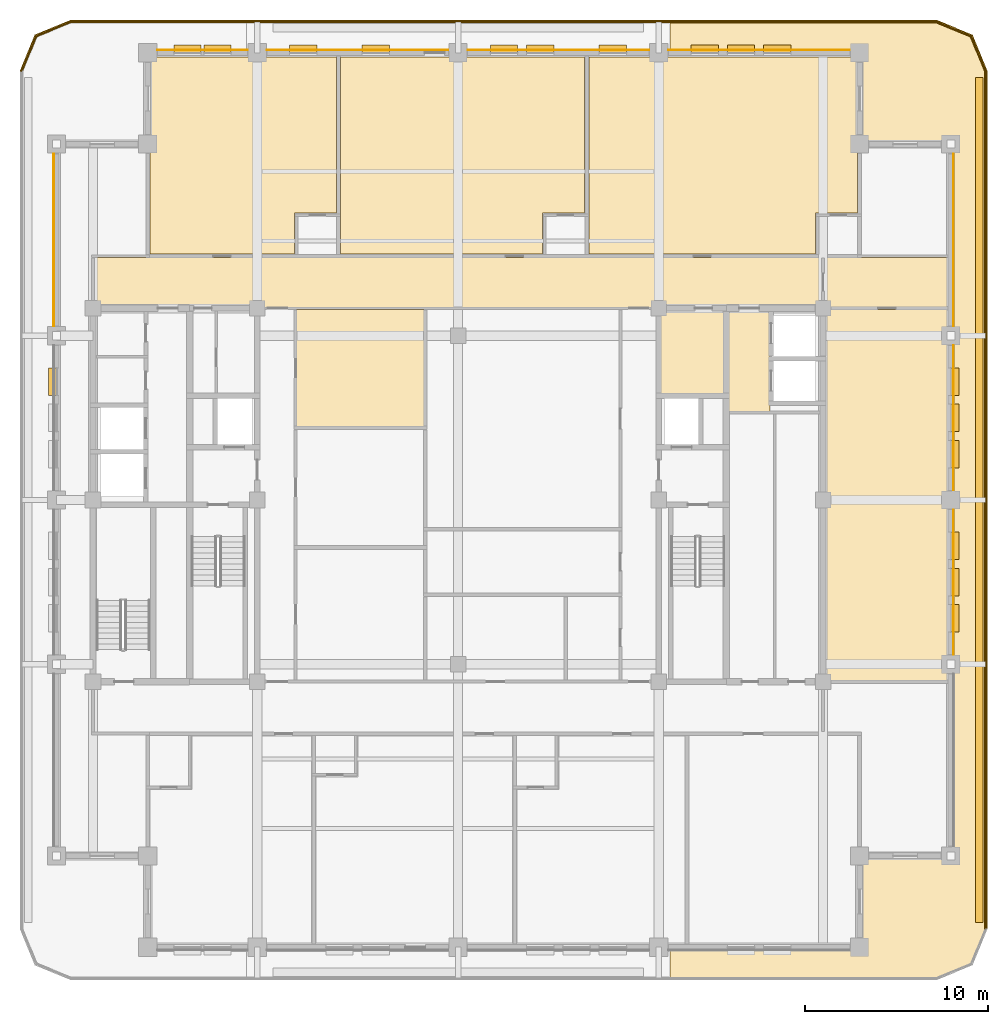
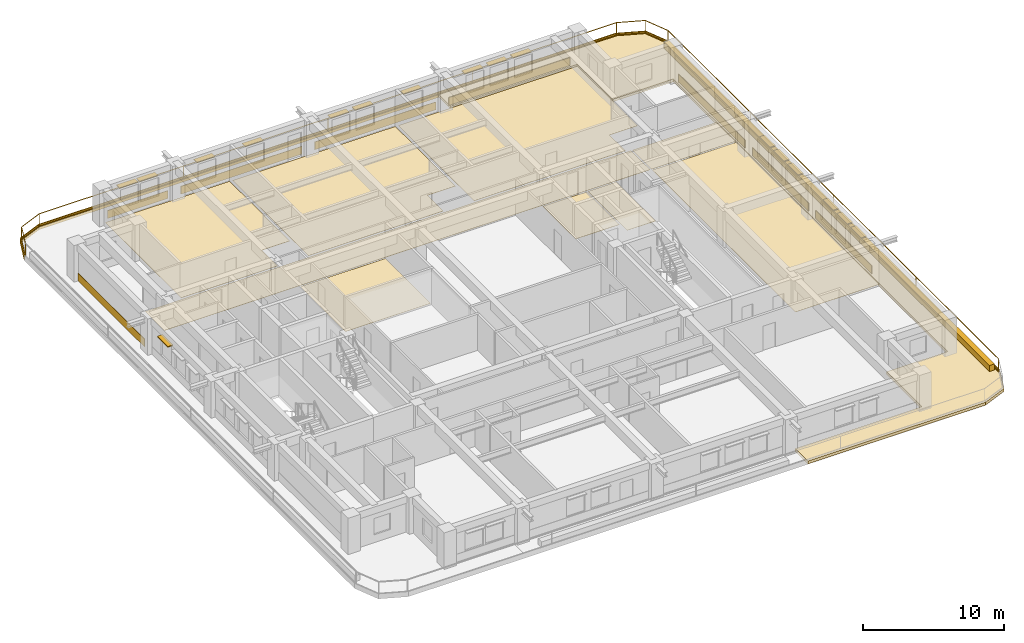
# One storey, part 13 of 13: 25 coverings, 17 shading devices, 2 railings.
"""IFC4 building model written with IfcOpenShell, lengths in metres."""

from ifc_helpers import new_model, si_unit, direction, frame, frame_2d, origin, origin_2d, place, context, subcontext, project, spatial, polyline, rectangle, outline, extrude, material, layer, layer_set, type_object, element, save


model = new_model("IFC4")

# Units and contexts
model_context = context("Model", 3, precision=1e-05, world=origin(), true_north=direction((0.0, 1.0)))
body_context = subcontext(model_context, "Body", "Model", "MODEL_VIEW")
ifc_project = project(units=[si_unit("LENGTHUNIT", "METRE"), si_unit("AREAUNIT", "SQUARE_METRE"), si_unit("VOLUMEUNIT", "CUBIC_METRE"), si_unit("PLANEANGLEUNIT", "RADIAN"), si_unit("MASSUNIT", "GRAM", prefix="KILO")], contexts=[model_context])

# Site, building, storey
site_placement = place(None, origin())
site = spatial("IfcSite", under=ifc_project, at=site_placement, CompositionType="ELEMENT")
building_placement = place(site_placement, origin())
building = spatial("IfcBuilding", under=site, at=building_placement, Name="Zulmaris Gate Convention Tower", CompositionType="ELEMENT")
storey_placement = place(building_placement, frame((0.0, 0.0, 169.4599609375)))
storey = spatial("IfcBuildingStorey", under=building, at=storey_placement, Name="L43", CompositionType="ELEMENT", Elevation=169.4599609375)

# Coverings
ifc_material_1 = material(Name="Precast concrete C40/50", Category="concrete")
ifc_layer_1 = layer(ifc_material_1, 0.0400390625, Name="Precast concrete C40/50")
ifc_layer_set_1 = layer_set([ifc_layer_1], Name="Precast concrete C40/50")
covering_type_1 = type_object("IfcCoveringType", Name="CLAD-SPANDREL-PRECAST", PredefinedType="CLADDING", material=ifc_layer_set_1)
covering_1_placement = place(storey_placement, frame((-11.530029296875, 24.64990234375, 0.0), z_axis=(0.0, 0.0, 1.0), x_axis=(-1.0, 0.0, 0.0)))
element("IfcCovering", 1, at=covering_1_placement, inside=storey, type_object=covering_type_1, Name="CLD-L43-N-0_0", PredefinedType="CLADDING", context=body_context, shape_type="SweptSolid", body=[
    extrude(rectangle(XDim=4.93994140625, YDim=0.0400390625, at=frame_2d((2.469970703125, 0.0))), origin(), (0.0, 0.0, 1.0), 0.679931640625),
])
for number, where, z_axis, x_axis, name in (
    (2, (-0.530029296875, 24.64990234375, 0.0), (0.0, 0.0, 1.0), (-1.0, 0.0, 0.0), "CLD-L43-N-1_0"),
    (3, (10.469970703125, 24.64990234375, 0.0), (0.0, 0.0, 1.0), (-1.0, 0.0, 0.0), "CLD-L43-N-2_0"),
    (4, (21.469970703125, 24.64990234375, 0.0), (0.0, 0.0, 1.0), (-1.0, 0.0, 0.0), "CLD-L43-N-3_0"),
):
    element("IfcCovering", number, at=place(storey_placement, frame(where, z_axis=z_axis, x_axis=x_axis)), inside=storey, type_object=covering_type_1, Name=name, PredefinedType="CLADDING", context=body_context, shape_type="SweptSolid", body=[
        extrude(rectangle(XDim=9.93994140625, YDim=0.0400390625, at=frame_2d((4.969970703125, 0.0))), origin(), (0.0, 0.0, 1.0), 0.679931640625),
    ])
for number, where, z_axis, x_axis, name in (
    (5, (27.14990234375, -8.469970703125, 0.0), (0.0, 0.0, 1.0), (0.0, 1.0, 0.0), "CLD-L43-E-1_0"),
    (6, (27.14990234375, 0.530029296875, 0.0), (0.0, 0.0, 1.0), (0.0, 1.0, 0.0), "CLD-L43-E-2_0"),
):
    element("IfcCovering", number, at=place(storey_placement, frame(where, z_axis=z_axis, x_axis=x_axis)), inside=storey, type_object=covering_type_1, Name=name, PredefinedType="CLADDING", context=body_context, shape_type="SweptSolid", body=[
        extrude(rectangle(XDim=7.93994140625, YDim=0.0400390625, at=frame_2d((3.969970703125, 0.0))), origin(), (0.0, 0.0, 1.0), 0.679931640625),
    ])
for number, where, z_axis, x_axis, name in (
    (7, (27.14990234375, 9.530029296875, 0.0), (0.0, 0.0, 1.0), (0.0, 1.0, 0.0), "CLD-L43-E-3_0"),
    (8, (-22.14990234375, 18.969970703125, 0.0), (0.0, 0.0, 1.0), (0.0, -1.0, 0.0), "CLD-L43-W-3_0"),
):
    element("IfcCovering", number, at=place(storey_placement, frame(where, z_axis=z_axis, x_axis=x_axis)), inside=storey, type_object=covering_type_1, Name=name, PredefinedType="CLADDING", context=body_context, shape_type="SweptSolid", body=[
        extrude(rectangle(XDim=9.43994140625, YDim=0.0400390625, at=frame_2d((4.719970703125, 0.0))), origin(), (0.0, 0.0, 1.0), 0.679931640625),
    ])
ifc_material_2 = material(Name="White Glazed Architectural Precast Concrete C40/50", Category="concrete")
ifc_layer_2 = layer(ifc_material_2, 0.239990234375, Name="White Glazed Architectural Precast Concrete C40/50")
ifc_layer_set_2 = layer_set([ifc_layer_2], Name="White Glazed Architectural Precast Concrete C40/50")
covering_type_2 = type_object("IfcCoveringType", Name="CLAD-TRAY-DECK", PredefinedType="CLADDING", material=ifc_layer_set_2)
covering_2_placement = place(storey_placement, frame((0.0, 0.0, -0.25)))
element("IfcCovering", 9, at=covering_2_placement, inside=storey, type_object=covering_type_2, Name="L43 East Rounded-Fascia Planter Tray Deck", PredefinedType="CLADDING", context=body_context, shape_type="SweptSolid", body=[
    extrude(outline(polyline([(26.199951171875, 26.300048828125), (28.179931640625, 25.47998046875), (29.0, 23.5), (29.0, -23.5), (28.179931640625, -25.47998046875), (26.199951171875, -26.300048828125), (11.60205078125, -26.300048828125), (11.60205078125, -24.5), (22.0, -24.5), (22.0, -19.5), (27.0, -19.5), (27.0, 19.5), (22.0, 19.5), (22.0, 24.5), (11.60205078125, 24.5), (11.60205078125, 26.300048828125), (26.199951171875, 26.300048828125)])), origin(), (0.0, 0.0, 1.0), 0.239990234375),
])
ifc_layer_3 = layer(ifc_material_2, 0.080078125, Name="White Glazed Architectural Precast Concrete C40/50")
ifc_layer_set_3 = layer_set([ifc_layer_3], Name="White Glazed Architectural Precast Concrete C40/50")
covering_type_3 = type_object("IfcCoveringType", Name="CLAD-TRAY-FASCIA", PredefinedType="CLADDING", material=ifc_layer_set_3)
covering_3_placement = place(storey_placement, frame((28.9599609375, -23.5, -0.2900390625), z_axis=(0.0, 0.0, 1.0), x_axis=(0.0, 1.0, 0.0)))
element("IfcCovering", 10, at=covering_3_placement, inside=storey, type_object=covering_type_3, Name="FSC-L43-TR-05", PredefinedType="CLADDING", context=body_context, shape_type="SweptSolid", body=[
    extrude(rectangle(XDim=47.0, YDim=0.080078125, at=frame_2d((23.5, 0.0))), origin(), (0.0, 0.0, 1.0), 0.440185546875),
])
covering_4_placement = place(storey_placement, frame((28.962890625, 23.484619140625, -0.2900390625), z_axis=(0.0, 0.0, 1.0), x_axis=(-0.382656984709, 0.923890487046, 0.0)))
element("IfcCovering", 11, at=covering_4_placement, inside=storey, type_object=covering_type_3, Name="FSC-L43-TR-06", PredefinedType="CLADDING", context=body_context, shape_type="SweptSolid", body=[
    extrude(rectangle(XDim=2.14306640625, YDim=0.080078125, at=frame_2d((1.071533203125, 0.0))), origin(), (0.0, 0.0, 1.0), 0.440185546875),
])
covering_5_placement = place(storey_placement, frame((28.16455078125, 25.44287109375, -0.2900390625), z_axis=(0.0, 0.0, 1.0), x_axis=(-0.923873803533, 0.382697263049, 0.0)))
element("IfcCovering", 12, at=covering_5_placement, inside=storey, type_object=covering_type_3, Name="FSC-L43-TR-07", PredefinedType="CLADDING", context=body_context, shape_type="SweptSolid", body=[
    extrude(rectangle(XDim=2.142822265625, YDim=0.080078125, at=frame_2d((1.0712890625, 0.0))), origin(), (0.0, 0.0, 1.0), 0.440185546875),
])
covering_6_placement = place(storey_placement, frame((26.199951171875, 26.260009765625, -0.2900390625), z_axis=(0.0, 0.0, 1.0), x_axis=(-1.0, 0.0, 0.0)))
element("IfcCovering", 13, at=covering_6_placement, inside=storey, type_object=covering_type_3, Name="FSC-L43-TR-08", PredefinedType="CLADDING", context=body_context, shape_type="SweptSolid", body=[
    extrude(rectangle(XDim=47.39990234375, YDim=0.080078125, at=frame_2d((23.699951171875, 0.0))), origin(), (0.0, 0.0, 1.0), 0.440185546875),
])
covering_7_placement = place(storey_placement, frame((-21.184814453125, 26.262939453125, -0.2900390625), z_axis=(0.0, 0.0, 1.0), x_axis=(-0.923873803533, -0.382697263049, 0.0)))
element("IfcCovering", 14, at=covering_7_placement, inside=storey, type_object=covering_type_3, Name="FSC-L43-TR-09", PredefinedType="CLADDING", context=body_context, shape_type="SweptSolid", body=[
    extrude(rectangle(XDim=2.142822265625, YDim=0.080078125, at=frame_2d((1.0712890625, 0.0))), origin(), (0.0, 0.0, 1.0), 0.440185546875),
])
covering_8_placement = place(storey_placement, frame((-23.142822265625, 25.464599609375, -0.2900390625), z_axis=(0.0, 0.0, 1.0), x_axis=(-0.382656984709, -0.923890487046, 0.0)))
element("IfcCovering", 15, at=covering_8_placement, inside=storey, type_object=covering_type_3, Name="FSC-L43-TR-10", PredefinedType="CLADDING", context=body_context, shape_type="SweptSolid", body=[
    extrude(rectangle(XDim=2.14306640625, YDim=0.080078125, at=frame_2d((1.071533203125, 0.0))), origin(), (0.0, 0.0, 1.0), 0.440185546875),
])
ifc_material_3 = material(Name="Woven Acoustic Wool Carpet Tile")
ifc_layer_4 = layer(ifc_material_3, 0.02001953125, Name="Woven Acoustic Wool Carpet Tile")
ifc_layer_set_4 = layer_set([ifc_layer_4], Name="Woven Acoustic Wool Carpet Tile")
covering_type_4 = type_object("IfcCoveringType", Name="FLR-CARPET-12", PredefinedType="FLOORING", material=ifc_layer_set_4)
covering_9_placement = place(storey_placement, origin())
element("IfcCovering", 16, at=covering_9_placement, inside=storey, type_object=covering_type_4, Name="FLR-L43-R13", PredefinedType="FLOORING", context=body_context, shape_type="SweptSolid", body=[
    extrude(outline(polyline([(11.06005859375, 5.760009765625), (14.639892578125, 5.760009765625), (14.639892578125, 10.43994140625), (11.06005859375, 10.43994140625), (11.06005859375, 5.760009765625)])), origin(), (0.0, 0.0, 1.0), 0.02001953125),
])
covering_10_placement = place(storey_placement, origin())
element("IfcCovering", 17, at=covering_10_placement, inside=storey, type_object=covering_type_4, Name="FLR-L43-R23", PredefinedType="FLOORING", context=body_context, shape_type="SweptSolid", body=[
    extrude(outline(polyline([(14.760009765625, 4.860107421875), (17.090087890625, 4.860107421875), (17.090087890625, 10.43994140625), (14.760009765625, 10.43994140625), (14.760009765625, 4.860107421875)])), origin(), (0.0, 0.0, 1.0), 0.02001953125),
])
covering_11_placement = place(storey_placement, origin())
element("IfcCovering", 18, at=covering_11_placement, inside=storey, type_object=covering_type_4, Name="FLR-L43-R28", PredefinedType="FLOORING", context=body_context, shape_type="SweptSolid", body=[
    extrude(outline(polyline([(-19.93994140625, 10.56005859375), (19.93994140625, 10.56005859375), (19.93994140625, 13.2900390625), (-19.93994140625, 13.2900390625), (-19.93994140625, 10.56005859375)])), origin(), (0.0, 0.0, 1.0), 0.02001953125),
])
covering_12_placement = place(storey_placement, origin())
element("IfcCovering", 19, at=covering_12_placement, inside=storey, type_object=covering_type_4, Name="FLR-L43-R52", PredefinedType="FLOORING", context=body_context, shape_type="SweptSolid", body=[
    extrude(outline(polyline([(20.06005859375, 10.56005859375), (26.93994140625, 10.56005859375), (26.93994140625, 13.2900390625), (20.06005859375, 13.2900390625), (20.06005859375, 10.56005859375)])), origin(), (0.0, 0.0, 1.0), 0.02001953125),
])
ifc_material_4 = material(Name="Engineered Teak Parquet Flooring")
ifc_layer_5 = layer(ifc_material_4, 0.02001953125, Name="Engineered Teak Parquet Flooring")
ifc_layer_set_5 = layer_set([ifc_layer_5], Name="Engineered Teak Parquet Flooring")
covering_type_5 = type_object("IfcCoveringType", Name="FLR-TIMBER-18", PredefinedType="FLOORING", material=ifc_layer_set_5)
covering_13_placement = place(storey_placement, origin())
element("IfcCovering", 20, at=covering_13_placement, inside=storey, type_object=covering_type_5, Name="FLR-L43-R33", PredefinedType="FLOORING", context=body_context, shape_type="SweptSolid", body=[
    extrude(outline(polyline([(-16.8798828125, 13.469970703125), (-8.969970703125, 13.469970703125), (-8.969970703125, 15.719970703125), (-6.669921875, 15.719970703125), (-6.669921875, 24.260009765625), (-16.8798828125, 24.260009765625), (-16.8798828125, 13.469970703125)])), origin(), (0.0, 0.0, 1.0), 0.02001953125),
])
covering_14_placement = place(storey_placement, origin())
element("IfcCovering", 21, at=covering_14_placement, inside=storey, type_object=covering_type_5, Name="FLR-L43-R35", PredefinedType="FLOORING", context=body_context, shape_type="SweptSolid", body=[
    extrude(outline(polyline([(-6.429931640625, 13.469970703125), (4.6298828125, 13.469970703125), (4.6298828125, 15.719970703125), (6.929931640625, 15.719970703125), (6.929931640625, 24.260009765625), (-6.429931640625, 24.260009765625), (-6.429931640625, 13.469970703125)])), origin(), (0.0, 0.0, 1.0), 0.02001953125),
])
covering_15_placement = place(storey_placement, origin())
element("IfcCovering", 22, at=covering_15_placement, inside=storey, type_object=covering_type_5, Name="FLR-L43-R37", PredefinedType="FLOORING", context=body_context, shape_type="SweptSolid", body=[
    extrude(outline(polyline([(7.169921875, 13.469970703125), (19.580078125, 13.469970703125), (19.580078125, 15.719970703125), (21.8798828125, 15.719970703125), (21.8798828125, 24.260009765625), (7.169921875, 24.260009765625), (7.169921875, 13.469970703125)])), origin(), (0.0, 0.0, 1.0), 0.02001953125),
])
covering_16_placement = place(storey_placement, origin())
element("IfcCovering", 23, at=covering_16_placement, inside=storey, type_object=covering_type_5, Name="FLR-L43-R45", PredefinedType="FLOORING", context=body_context, shape_type="SweptSolid", body=[
    extrude(outline(polyline([(-8.840087890625, 4.010009765625), (-1.860107421875, 4.010009765625), (-1.860107421875, 10.43994140625), (-8.840087890625, 10.43994140625), (-8.840087890625, 4.010009765625)])), origin(), (0.0, 0.0, 1.0), 0.02001953125),
])
covering_17_placement = place(storey_placement, origin())
element("IfcCovering", 24, at=covering_17_placement, inside=storey, type_object=covering_type_5, Name="FLR-L43-R53", PredefinedType="FLOORING", context=body_context, shape_type="SweptSolid", body=[
    extrude(outline(polyline([(20.06005859375, -9.889892578125), (26.93994140625, -9.889892578125), (26.93994140625, 10.43994140625), (20.06005859375, 10.43994140625), (20.06005859375, -9.889892578125)])), origin(), (0.0, 0.0, 1.0), 0.02001953125),
])
ifc_material_5 = material(Name="Botanical Green Glazed Precast Concrete C40/50", Category="concrete")
ifc_layer_6 = layer(ifc_material_5, 0.419921875, Name="Botanical Green Glazed Precast Concrete C40/50")
ifc_layer_set_6 = layer_set([ifc_layer_6], Name="Botanical Green Glazed Precast Concrete C40/50")
covering_type_6 = type_object("IfcCoveringType", Name="PLANTER-BOX-200", PredefinedType="CLADDING", material=ifc_layer_set_6)
covering_18_placement = place(storey_placement, frame((0.0, 0.0, -0.010009765625)))
element("IfcCovering", 25, at=covering_18_placement, inside=storey, type_object=covering_type_6, Name="L43 E Full-Length Balcony Tree Planter Trough", PredefinedType="CLADDING", context=body_context, shape_type="SweptSolid", body=[
    extrude(outline(polyline([(28.340087890625, -23.14990234375), (28.760009765625, -23.14990234375), (28.760009765625, 23.14990234375), (28.340087890625, 23.14990234375), (28.340087890625, -23.14990234375)])), origin(), (0.0, 0.0, 1.0), 0.52001953125),
])

# Railings
ifc_material_6 = material(Name="Laminated Glass and Stainless Steel", Category="steel")
railing_type = type_object("IfcRailingType", Name="RL-BALC-1150", PredefinedType="BALUSTRADE", material=ifc_material_6)
railing_1_placement = place(storey_placement, frame((28.8798828125, -23.5, -0.010009765625)))
element("IfcRailing", 26, at=railing_1_placement, inside=storey, type_object=railing_type, Name="RL-L43-BALC-E", PredefinedType="BALUSTRADE", context=body_context, shape_type="SweptSolid", body=[
    extrude(rectangle(XDim=0.048095703125, YDim=0.048095703125, at=origin_2d()), frame((0.0, 0.0, 1.1259765625), z_axis=(0.0, 1.0, 0.0), x_axis=(-1.0, 0.0, 0.0)), (0.0, 0.0, 1.0), 47.0),
    extrude(rectangle(XDim=0.048095703125, YDim=0.048095703125, at=origin_2d()), frame((0.0, 0.0, 0.02392578125), z_axis=(0.0, 1.0, 0.0), x_axis=(-1.0, 0.0, 0.0)), (0.0, 0.0, 1.0), 47.0),
    extrude(rectangle(XDim=0.0419921875, YDim=0.0419921875, at=origin_2d()), origin(), (0.0, 0.0, 1.0), 1.101806640625),
    extrude(rectangle(XDim=0.0419921875, YDim=0.0419921875, at=origin_2d()), frame((0.0, 11.75, 0.0)), (0.0, 0.0, 1.0), 1.101806640625),
    extrude(rectangle(XDim=0.0419921875, YDim=0.0419921875, at=origin_2d()), frame((0.0, 23.5, 0.0)), (0.0, 0.0, 1.0), 1.101806640625),
    extrude(rectangle(XDim=0.0419921875, YDim=0.0419921875, at=origin_2d()), frame((0.0, 35.25, 0.0)), (0.0, 0.0, 1.0), 1.101806640625),
    extrude(rectangle(XDim=0.0419921875, YDim=0.0419921875, at=origin_2d()), frame((0.0, 47.0, 0.0)), (0.0, 0.0, 1.0), 1.101806640625),
])
railing_2_placement = place(storey_placement, frame((28.8798828125, 23.5, -0.010009765625)))
element("IfcRailing", 27, at=railing_2_placement, inside=storey, type_object=railing_type, Name="RL-L43-BALC-N", PredefinedType="BALUSTRADE", context=body_context, shape_type="SweptSolid", body=[
    extrude(rectangle(XDim=0.048095703125, YDim=0.048095703125, at=origin_2d()), frame((0.0, 0.0, 1.1259765625), z_axis=(-0.382670664694, 0.92388482095, 0.0), x_axis=(-0.92388482095, -0.382670664694, 0.0)), (0.0, 0.0, 1.0), 2.051025390625),
    extrude(rectangle(XDim=0.048095703125, YDim=0.048095703125, at=origin_2d()), frame((0.0, 0.0, 0.02392578125), z_axis=(-0.382670664694, 0.92388482095, 0.0), x_axis=(-0.92388482095, -0.382670664694, 0.0)), (0.0, 0.0, 1.0), 2.051025390625),
    extrude(rectangle(XDim=0.048095703125, YDim=0.048095703125, at=origin_2d()), frame((-0.784912109375, 1.89501953125, 1.1259765625), z_axis=(-0.92388482095, 0.382670664694, 0.0), x_axis=(-0.382670664694, -0.92388482095, 0.0)), (0.0, 0.0, 1.0), 2.051025390625),
    extrude(rectangle(XDim=0.048095703125, YDim=0.048095703125, at=origin_2d()), frame((-0.784912109375, 1.89501953125, 0.02392578125), z_axis=(-0.92388482095, 0.382670664694, 0.0), x_axis=(-0.382670664694, -0.92388482095, 0.0)), (0.0, 0.0, 1.0), 2.051025390625),
    extrude(rectangle(XDim=0.048095703125, YDim=0.048095703125, at=origin_2d()), frame((-2.679931640625, 2.679931640625, 1.1259765625), z_axis=(-1.0, 0.0, 0.0), x_axis=(0.0, -1.0, 0.0)), (0.0, 0.0, 1.0), 47.39990234375),
    extrude(rectangle(XDim=0.048095703125, YDim=0.048095703125, at=origin_2d()), frame((-2.679931640625, 2.679931640625, 0.02392578125), z_axis=(-1.0, 0.0, 0.0), x_axis=(0.0, -1.0, 0.0)), (0.0, 0.0, 1.0), 47.39990234375),
    extrude(rectangle(XDim=0.048095703125, YDim=0.048095703125, at=origin_2d()), frame((-50.079833984375, 2.679931640625, 1.1259765625), z_axis=(-0.92388482095, -0.382670664694, 0.0), x_axis=(0.382670664694, -0.92388482095, 0.0)), (0.0, 0.0, 1.0), 2.051025390625),
    extrude(rectangle(XDim=0.048095703125, YDim=0.048095703125, at=origin_2d()), frame((-50.079833984375, 2.679931640625, 0.02392578125), z_axis=(-0.92388482095, -0.382670664694, 0.0), x_axis=(0.382670664694, -0.92388482095, 0.0)), (0.0, 0.0, 1.0), 2.051025390625),
    extrude(rectangle(XDim=0.048095703125, YDim=0.048095703125, at=origin_2d()), frame((-51.974853515625, 1.89501953125, 1.1259765625), z_axis=(-0.382670664694, -0.92388482095, 0.0), x_axis=(0.92388482095, -0.382670664694, 0.0)), (0.0, 0.0, 1.0), 2.051025390625),
    extrude(rectangle(XDim=0.048095703125, YDim=0.048095703125, at=origin_2d()), frame((-51.974853515625, 1.89501953125, 0.02392578125), z_axis=(-0.382670664694, -0.92388482095, 0.0), x_axis=(0.92388482095, -0.382670664694, 0.0)), (0.0, 0.0, 1.0), 2.051025390625),
    extrude(rectangle(XDim=0.0419921875, YDim=0.0419921875, at=origin_2d()), origin(), (0.0, 0.0, 1.0), 1.101806640625),
    extrude(rectangle(XDim=0.0419921875, YDim=0.0419921875, at=origin_2d()), frame((-0.784912109375, 1.89501953125, 0.0)), (0.0, 0.0, 1.0), 1.101806640625),
    extrude(rectangle(XDim=0.0419921875, YDim=0.0419921875, at=origin_2d()), frame((-2.679931640625, 2.679931640625, 0.0)), (0.0, 0.0, 1.0), 1.101806640625),
    extrude(rectangle(XDim=0.0419921875, YDim=0.0419921875, at=origin_2d()), frame((-14.52978515625, 2.679931640625, 0.0)), (0.0, 0.0, 1.0), 1.101806640625),
    extrude(rectangle(XDim=0.0419921875, YDim=0.0419921875, at=origin_2d()), frame((-26.3798828125, 2.679931640625, 0.0)), (0.0, 0.0, 1.0), 1.101806640625),
    extrude(rectangle(XDim=0.0419921875, YDim=0.0419921875, at=origin_2d()), frame((-38.22998046875, 2.679931640625, 0.0)), (0.0, 0.0, 1.0), 1.101806640625),
    extrude(rectangle(XDim=0.0419921875, YDim=0.0419921875, at=origin_2d()), frame((-50.079833984375, 2.679931640625, 0.0)), (0.0, 0.0, 1.0), 1.101806640625),
    extrude(rectangle(XDim=0.0419921875, YDim=0.0419921875, at=origin_2d()), frame((-51.974853515625, 1.89501953125, 0.0)), (0.0, 0.0, 1.0), 1.101806640625),
    extrude(rectangle(XDim=0.0419921875, YDim=0.0419921875, at=origin_2d()), frame((-52.759765625, 0.0, 0.0)), (0.0, 0.0, 1.0), 1.101806640625),
])

# Shading devices
ifc_material_7 = material(Name="Glazed Ceramic Terracotta", Category="masonry")
ifc_layer_7 = layer(ifc_material_7, 0.070068359375, Name="Glazed Ceramic Terracotta")
ifc_layer_set_7 = layer_set([ifc_layer_7], Name="Glazed Ceramic Terracotta")
shading_device_type = type_object("IfcShadingDeviceType", Name="SHD-SUNSHADE-TC", PredefinedType="AWNING", material=ifc_layer_set_7)
for number, where, z_axis, x_axis, name in (
    (28, (-12.427001953125, 24.719970703125, 2.35009765625), (0.0, 0.0, 1.0), (-1.0, 0.0, 0.0), "SHD-EW-L43-N-0_0-1"),
    (29, (-14.072998046875, 24.719970703125, 2.35009765625), (0.0, 0.0, 1.0), (-1.0, 0.0, 0.0), "SHD-EW-L43-N-0_0-2"),
    (30, (-3.756103515625, 24.719970703125, 2.35009765625), (0.0, 0.0, 1.0), (-1.0, 0.0, 0.0), "SHD-EW-L43-N-1_0-2"),
    (31, (-7.73193359375, 24.719970703125, 2.35009765625), (0.0, 0.0, 1.0), (-1.0, 0.0, 0.0), "SHD-EW-L43-N-1_0-4"),
    (32, (9.23193359375, 24.719970703125, 2.35009765625), (0.0, 0.0, 1.0), (-1.0, 0.0, 0.0), "SHD-EW-L43-N-2_0-1"),
    (33, (5.256103515625, 24.719970703125, 2.35009765625), (0.0, 0.0, 1.0), (-1.0, 0.0, 0.0), "SHD-EW-L43-N-2_0-3"),
    (34, (3.26806640625, 24.719970703125, 2.35009765625), (0.0, 0.0, 1.0), (-1.0, 0.0, 0.0), "SHD-EW-L43-N-2_0-4"),
    (35, (18.243896484375, 24.719970703125, 2.35009765625), (0.0, 0.0, 1.0), (-1.0, 0.0, 0.0), "SHD-EW-L43-N-3_0-2"),
    (36, (16.256103515625, 24.719970703125, 2.35009765625), (0.0, 0.0, 1.0), (-1.0, 0.0, 0.0), "SHD-EW-L43-N-3_0-3"),
    (37, (14.26806640625, 24.719970703125, 2.35009765625), (0.0, 0.0, 1.0), (-1.0, 0.0, 0.0), "SHD-EW-L43-N-3_0-4"),
    (38, (27.219970703125, -7.235107421875, 2.35009765625), (0.0, 0.0, 1.0), (0.0, 1.0, 0.0), "SHD-EW-L43-E-1_0-1"),
    (39, (27.219970703125, -5.25, 2.35009765625), (0.0, 0.0, 1.0), (0.0, 1.0, 0.0), "SHD-EW-L43-E-1_0-2"),
    (40, (27.219970703125, -3.264892578125, 2.35009765625), (0.0, 0.0, 1.0), (0.0, 1.0, 0.0), "SHD-EW-L43-E-1_0-3"),
    (41, (27.219970703125, 1.764892578125, 2.35009765625), (0.0, 0.0, 1.0), (0.0, 1.0, 0.0), "SHD-EW-L43-E-2_0-1"),
    (42, (27.219970703125, 3.75, 2.35009765625), (0.0, 0.0, 1.0), (0.0, 1.0, 0.0), "SHD-EW-L43-E-2_0-2"),
    (43, (27.219970703125, 5.735107421875, 2.35009765625), (0.0, 0.0, 1.0), (0.0, 1.0, 0.0), "SHD-EW-L43-E-2_0-3"),
    (44, (-22.219970703125, 7.235107421875, 2.35009765625), (0.0, 0.0, 1.0), (0.0, -1.0, 0.0), "SHD-EW-L43-W-2_0-1"),
):
    element("IfcShadingDevice", number, at=place(storey_placement, frame(where, z_axis=z_axis, x_axis=x_axis)), inside=storey, type_object=shading_device_type, Name=name, PredefinedType="AWNING", context=body_context, shape_type="SweptSolid", body=[
        extrude(rectangle(XDim=1.5, YDim=0.43994140625, at=frame_2d((0.75, 0.0))), origin(), (0.0, 0.0, 1.0), 0.06982421875),
    ])

save(model, "model.ifc")
